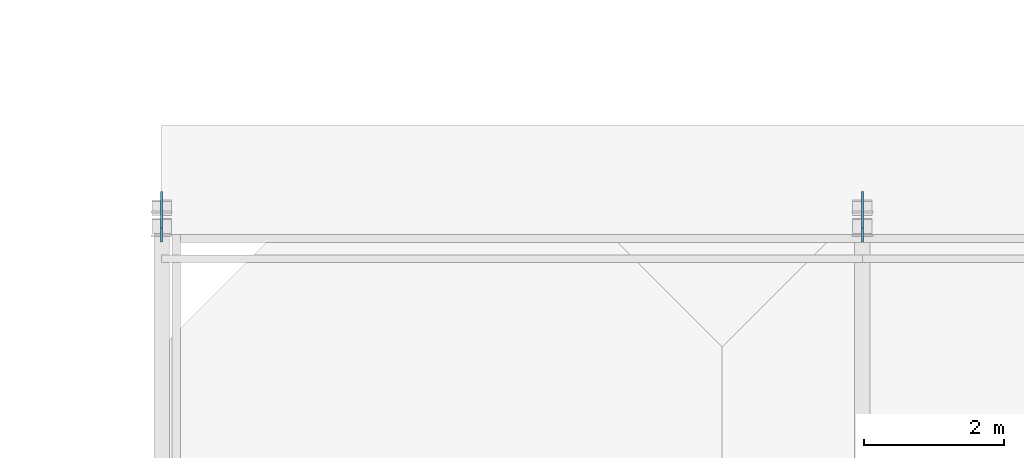
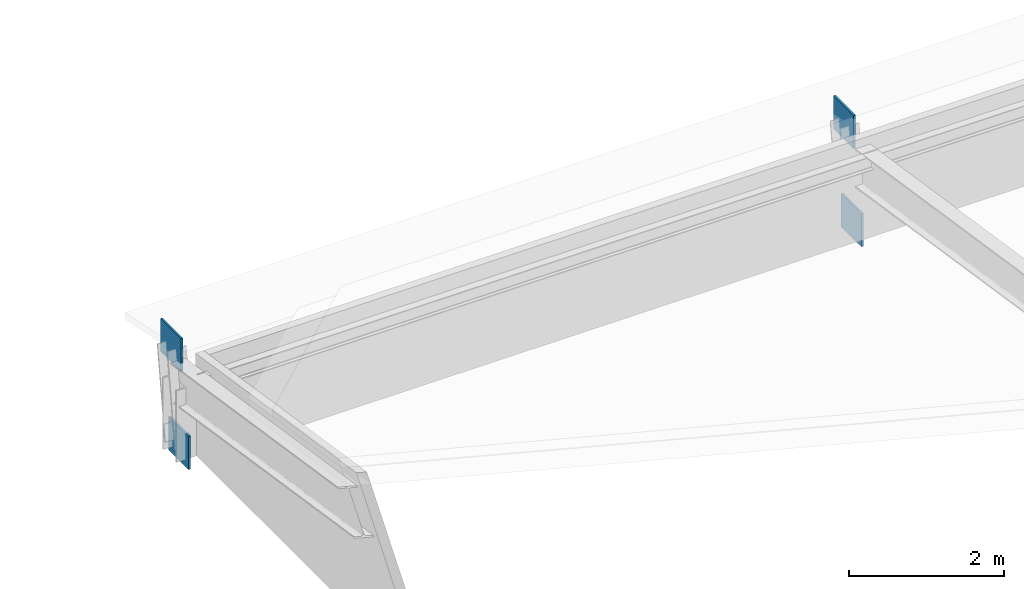
# One storey, part 75 of 89: 4 plates.
"""IFC4 building model written with IfcOpenShell, lengths in metres."""

from ifc_helpers import new_model, si_unit, direction, frame, origin, origin_2d, place, context, subcontext, project, spatial, rectangle, extrude, material, layer, layer_set, type_object, element, save


model = new_model("IFC4")

# Units and contexts
model_context = context("Model", 3, precision=1e-05, world=origin(), true_north=direction((0.0, 1.0)))
body_context = subcontext(model_context, "Body", "Model", "MODEL_VIEW")
ifc_project = project(units=[si_unit("LENGTHUNIT", "METRE"), si_unit("AREAUNIT", "SQUARE_METRE"), si_unit("VOLUMEUNIT", "CUBIC_METRE"), si_unit("PLANEANGLEUNIT", "RADIAN"), si_unit("MASSUNIT", "GRAM", prefix="KILO")], contexts=[model_context])

# Site, building, storey
site_placement = place(None, origin())
site = spatial("IfcSite", under=ifc_project, at=site_placement, CompositionType="ELEMENT")
building_placement = place(site_placement, origin())
building = spatial("IfcBuilding", under=site, at=building_placement, Name="Zereglee Splitstone Museum", CompositionType="ELEMENT")
storey_placement = place(building_placement, frame((0.0, 0.0, 21.300048828125)))
storey = spatial("IfcBuildingStorey", under=building, at=storey_placement, Name="L04", CompositionType="ELEMENT", Elevation=21.300048828125)

# Plates
ifc_material = material(Name="Steel S355J2", Category="steel")
ifc_layer = layer(ifc_material, 0.030029296875)
ifc_layer_set = layer_set([ifc_layer], Name="Steel S355J2")
plate_type = type_object("IfcPlateType", Name="NP-04", PredefinedType="SHEET", material=ifc_layer_set)
for number, where, z_axis, x_axis, name in (
    (1, (175.199951171875, 21.60009765625, -0.110107421875), (0.0, 0.0, 1.0), (1.0, 0.0, 0.0), "Chhajja Corbel Gusset Plate RF-V3"),
    (2, (175.199951171875, 21.800048828125, 1.31005859375), (0.0, 0.0, 1.0), (1.0, 0.0, 0.0), "Chhajja Corbel Gusset Plate RF-V3"),
    (3, (185.199951171875, 21.60009765625, -0.110107421875), (0.0, 0.0, 1.0), (1.0, 0.0, 0.0), "Chhajja Corbel Gusset Plate RF-V3"),
    (4, (185.199951171875, 21.800048828125, 1.31005859375), (0.0, 0.0, 1.0), (1.0, 0.0, 0.0), "Chhajja Corbel Gusset Plate RF-V3"),
):
    element("IfcPlate", number, at=place(storey_placement, frame(where, z_axis=z_axis, x_axis=x_axis)), inside=storey, type_object=plate_type, Name=name, PredefinedType="SHEET", context=body_context, shape_type="SweptSolid", body=[
        extrude(rectangle(XDim=0.030029296875, YDim=0.52001953125, at=origin_2d()), origin(), (0.0, 0.0, 1.0), 0.52001953125),
    ])

save(model, "model.ifc")
